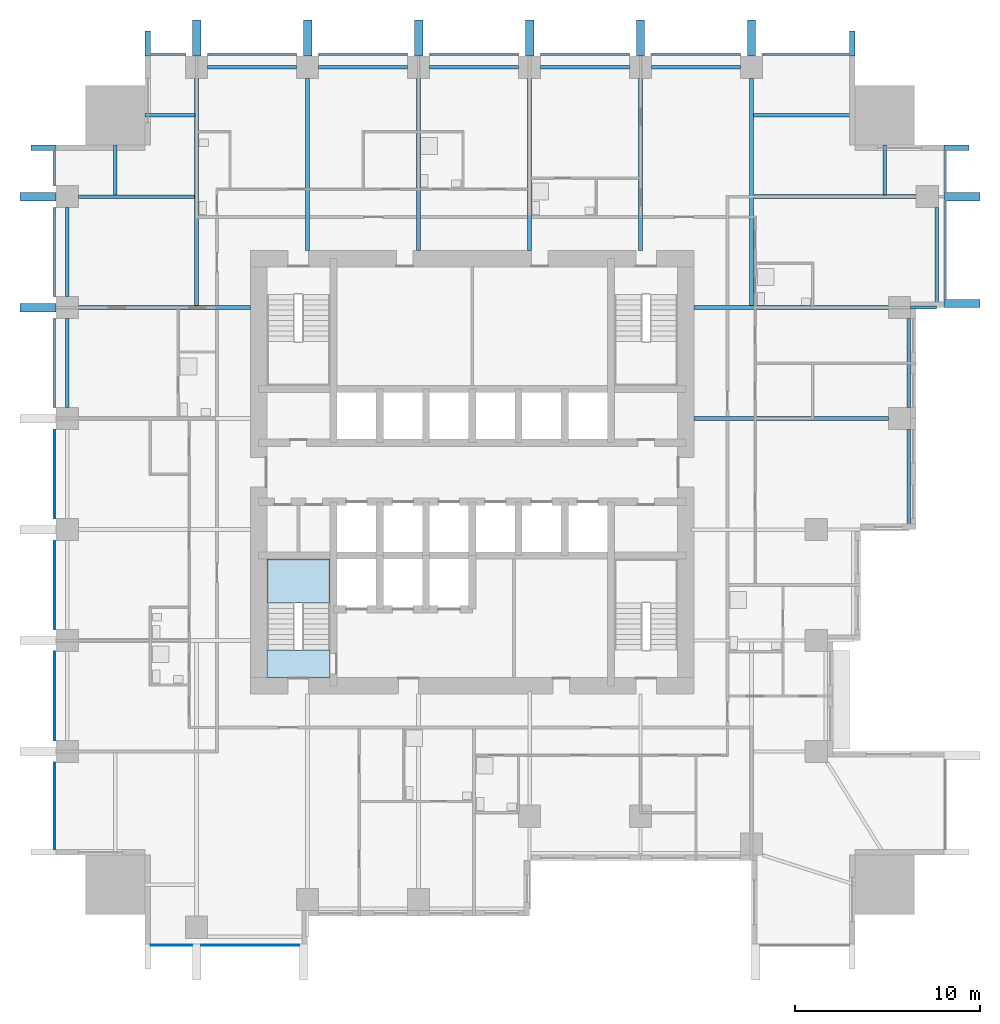
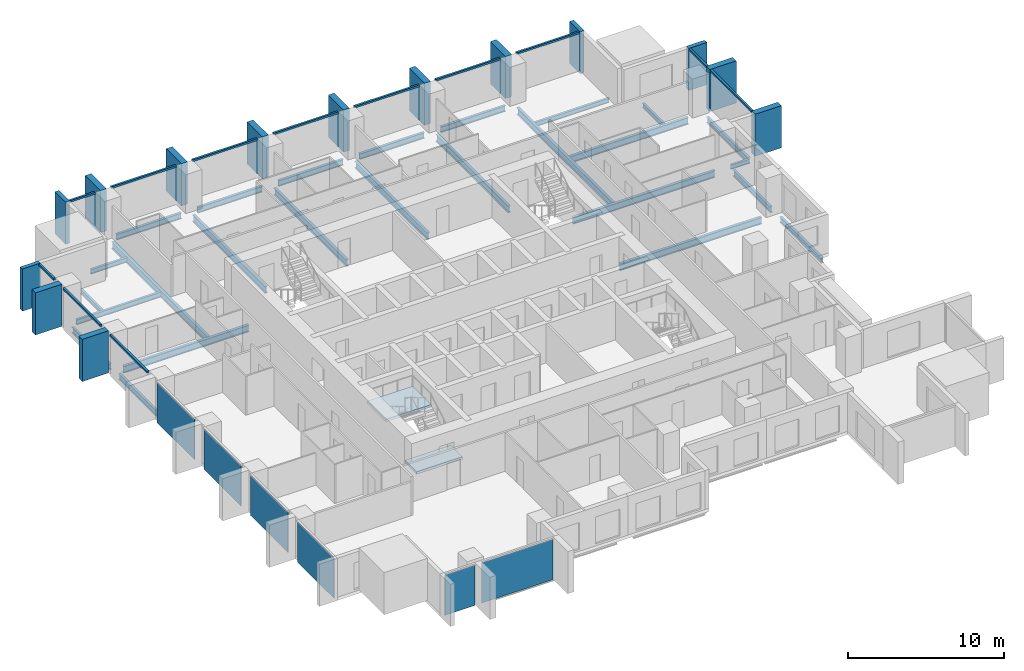
# One storey, part 2 of 10: 26 beams, 26 members, 6 plates, 2 slabs, 5 elements without a shape of their own.
"""IFC4 building model written with IfcOpenShell, lengths in metres."""

from ifc_helpers import new_model, si_unit, direction, frame, origin, origin_2d, place, context, subcontext, project, spatial, polyline, rectangle, i_section, outline, extrude, material, layer, layer_set, material_profile, profile_set, type_object, element, aggregate, save


model = new_model("IFC4")

# Units and contexts
model_context = context("Model", 3, precision=1e-05, world=origin(), true_north=direction((0.0, 1.0)))
body_context = subcontext(model_context, "Body", "Model", "MODEL_VIEW")
ifc_project = project(units=[si_unit("LENGTHUNIT", "METRE"), si_unit("AREAUNIT", "SQUARE_METRE"), si_unit("VOLUMEUNIT", "CUBIC_METRE"), si_unit("PLANEANGLEUNIT", "RADIAN"), si_unit("MASSUNIT", "GRAM", prefix="KILO")], contexts=[model_context])

# Site, building, storey
site_placement = place(None, origin())
site = spatial("IfcSite", under=ifc_project, at=site_placement, CompositionType="ELEMENT")
building_placement = place(site_placement, origin())
building = spatial("IfcBuilding", under=site, at=building_placement, Name="Amberfall Residences", CompositionType="ELEMENT")
storey_placement = place(building_placement, frame((0.0, 0.0, 36.699951171875)))
storey = spatial("IfcBuildingStorey", under=building, at=storey_placement, Name="L09", CompositionType="ELEMENT", Elevation=36.699951171875)

# Curtain wall, members
ifc_material_1 = material(Name="Bronze anodised aluminium and glass", Category="aluminium")
curtain_wall_type = type_object("IfcCurtainWallType", Name="Curtain wall CW1 tower unit", PredefinedType="USERDEFINED", material=ifc_material_1)
curtain_wall_1_placement = place(storey_placement, origin())
curtain_wall_1 = element("IfcCurtainWall", 1, at=curtain_wall_1_placement, inside=storey, type_object=curtain_wall_type, Name="Curtain wall L09 E E10", ObjectType="UNITISED CURTAIN WALL", PredefinedType="USERDEFINED")
ifc_material_2 = material(Name="Bronze anodised aluminium", Category="aluminium")
ifc_material_profile_1 = material_profile(ifc_material_2, rectangle(XDim=0.14990234375, YDim=0.14990234375, at=origin_2d()), Name="CW1 transom 150 x 150 bronze")
ifc_profile_set_1 = profile_set([ifc_material_profile_1], Name="Bronze anodised aluminium")
member_type_1 = type_object("IfcMemberType", Name="CW1 transom 150 x 150 bronze", PredefinedType="USERDEFINED", material=ifc_profile_set_1)
member_1_placement = place(storey_placement, frame((100.074951171875, 54.85009765625, 2.97509765625), z_axis=(0.0, 1.0, 0.0), x_axis=(-1.0, 0.0, 0.0)))
member_1 = element("IfcMember", 2, at=member_1_placement, type_object=member_type_1, Name="CW1 transom 1.1", ObjectType="TRANSOM", PredefinedType="USERDEFINED", context=body_context, shape_type="SweptSolid", body=[
    extrude(rectangle(XDim=0.14990234375, YDim=0.14990234375, at=origin_2d()), origin(), (0.0, 0.0, 1.0), 5.324951171875),
])
member_2_placement = place(storey_placement, frame((100.074951171875, 60.625, 2.97509765625), z_axis=(0.0, 1.0, 0.0), x_axis=(-1.0, 0.0, 0.0)))
member_2 = element("IfcMember", 3, at=member_2_placement, type_object=member_type_1, Name="CW1 transom 2.1", ObjectType="TRANSOM", PredefinedType="USERDEFINED", context=body_context, shape_type="SweptSolid", body=[
    extrude(rectangle(XDim=0.14990234375, YDim=0.14990234375, at=origin_2d()), origin(), (0.0, 0.0, 1.0), 2.27490234375),
])

curtain_wall_2_placement = place(storey_placement, origin())
curtain_wall_2 = element("IfcCurtainWall", 4, at=curtain_wall_2_placement, inside=storey, type_object=curtain_wall_type, Name="Curtain wall L09 N N1", ObjectType="UNITISED CURTAIN WALL", PredefinedType="USERDEFINED")
member_3_placement = place(storey_placement, frame((94.89990234375, 68.074951171875, 2.97509765625), z_axis=(-1.0, 0.0, 0.0), x_axis=(0.0, -1.0, 0.0)))
member_3 = element("IfcMember", 5, at=member_3_placement, type_object=member_type_1, Name="CW1 transom 1.1", ObjectType="TRANSOM", PredefinedType="USERDEFINED", context=body_context, shape_type="SweptSolid", body=[
    extrude(rectangle(XDim=0.14990234375, YDim=0.14990234375, at=origin_2d()), origin(), (0.0, 0.0, 1.0), 4.69482421875),
])
member_4_placement = place(storey_placement, frame((88.9951171875, 68.074951171875, 2.97509765625), z_axis=(-1.0, 0.0, 0.0), x_axis=(0.0, -1.0, 0.0)))
member_4 = element("IfcMember", 6, at=member_4_placement, type_object=member_type_1, Name="CW1 transom 2.1", ObjectType="TRANSOM", PredefinedType="USERDEFINED", context=body_context, shape_type="SweptSolid", body=[
    extrude(rectangle(XDim=0.14990234375, YDim=0.14990234375, at=origin_2d()), origin(), (0.0, 0.0, 1.0), 4.7900390625),
])
member_5_placement = place(storey_placement, frame((82.9951171875, 68.074951171875, 2.97509765625), z_axis=(-1.0, 0.0, 0.0), x_axis=(0.0, -1.0, 0.0)))
member_5 = element("IfcMember", 7, at=member_5_placement, type_object=member_type_1, Name="CW1 transom 3.1", ObjectType="TRANSOM", PredefinedType="USERDEFINED", context=body_context, shape_type="SweptSolid", body=[
    extrude(rectangle(XDim=0.14990234375, YDim=0.14990234375, at=origin_2d()), origin(), (0.0, 0.0, 1.0), 4.7900390625),
])
member_6_placement = place(storey_placement, frame((76.9951171875, 68.074951171875, 2.97509765625), z_axis=(-1.0, 0.0, 0.0), x_axis=(0.0, -1.0, 0.0)))
member_6 = element("IfcMember", 8, at=member_6_placement, type_object=member_type_1, Name="CW1 transom 4.1", ObjectType="TRANSOM", PredefinedType="USERDEFINED", context=body_context, shape_type="SweptSolid", body=[
    extrude(rectangle(XDim=0.14990234375, YDim=0.14990234375, at=origin_2d()), origin(), (0.0, 0.0, 1.0), 4.7900390625),
])
member_7_placement = place(storey_placement, frame((70.9951171875, 68.074951171875, 2.97509765625), z_axis=(-1.0, 0.0, 0.0), x_axis=(0.0, -1.0, 0.0)))
member_7 = element("IfcMember", 9, at=member_7_placement, type_object=member_type_1, Name="CW1 transom 5.1", ObjectType="TRANSOM", PredefinedType="USERDEFINED", context=body_context, shape_type="SweptSolid", body=[
    extrude(rectangle(XDim=0.14990234375, YDim=0.14990234375, at=origin_2d()), origin(), (0.0, 0.0, 1.0), 4.7900390625),
])
member_8_placement = place(storey_placement, frame((64.9951171875, 68.074951171875, 2.97509765625), z_axis=(-1.0, 0.0, 0.0), x_axis=(0.0, -1.0, 0.0)))
member_8 = element("IfcMember", 10, at=member_8_placement, type_object=member_type_1, Name="CW1 transom 6.1", ObjectType="TRANSOM", PredefinedType="USERDEFINED", context=body_context, shape_type="SweptSolid", body=[
    extrude(rectangle(XDim=0.14990234375, YDim=0.14990234375, at=origin_2d()), origin(), (0.0, 0.0, 1.0), 4.7900390625),
])
member_9_placement = place(storey_placement, frame((58.9951171875, 68.074951171875, 2.97509765625), z_axis=(-1.0, 0.0, 0.0), x_axis=(0.0, -1.0, 0.0)))
member_9 = element("IfcMember", 11, at=member_9_placement, type_object=member_type_1, Name="CW1 transom 7.1", ObjectType="TRANSOM", PredefinedType="USERDEFINED", context=body_context, shape_type="SweptSolid", body=[
    extrude(rectangle(XDim=0.14990234375, YDim=0.14990234375, at=origin_2d()), origin(), (0.0, 0.0, 1.0), 1.89501953125),
])

curtain_wall_3_placement = place(storey_placement, origin())
curtain_wall_3 = element("IfcCurtainWall", 12, at=curtain_wall_3_placement, inside=storey, type_object=curtain_wall_type, Name="Curtain wall L09 W W1", ObjectType="UNITISED CURTAIN WALL", PredefinedType="USERDEFINED")
member_10_placement = place(storey_placement, frame((51.925048828125, 62.89990234375, 2.97509765625), z_axis=(0.0, -1.0, 0.0), x_axis=(1.0, 0.0, 0.0)))
member_10 = element("IfcMember", 13, at=member_10_placement, type_object=member_type_1, Name="CW1 transom 1.1", ObjectType="TRANSOM", PredefinedType="USERDEFINED", context=body_context, shape_type="SweptSolid", body=[
    extrude(rectangle(XDim=0.14990234375, YDim=0.14990234375, at=origin_2d()), origin(), (0.0, 0.0, 1.0), 1.89501953125),
])
member_11_placement = place(storey_placement, frame((51.925048828125, 59.794921875, 2.97509765625), z_axis=(0.0, -1.0, 0.0), x_axis=(1.0, 0.0, 0.0)))
member_11 = element("IfcMember", 14, at=member_11_placement, type_object=member_type_1, Name="CW1 transom 2.1", ObjectType="TRANSOM", PredefinedType="USERDEFINED", context=body_context, shape_type="SweptSolid", body=[
    extrude(rectangle(XDim=0.14990234375, YDim=0.14990234375, at=origin_2d()), origin(), (0.0, 0.0, 1.0), 4.7900390625),
])
member_12_placement = place(storey_placement, frame((51.925048828125, 53.794921875, 2.97509765625), z_axis=(0.0, -1.0, 0.0), x_axis=(1.0, 0.0, 0.0)))
member_12 = element("IfcMember", 15, at=member_12_placement, type_object=member_type_1, Name="CW1 transom 3.1", ObjectType="TRANSOM", PredefinedType="USERDEFINED", context=body_context, shape_type="SweptSolid", body=[
    extrude(rectangle(XDim=0.14990234375, YDim=0.14990234375, at=origin_2d()), origin(), (0.0, 0.0, 1.0), 4.7900390625),
])

# Beam
ifc_material_3 = material(Name="Steel S355", Category="steel")
ifc_material_profile_2 = material_profile(ifc_material_3, i_section(OverallWidth=0.171142578125, OverallDepth=0.351318359375, WebThickness=0.007080078125, FlangeThickness=0.009765625, FilletRadius=0.01025390625, at=origin_2d()), Name="UB 356x171x45")
ifc_profile_set_2 = profile_set([ifc_material_profile_2], Name="Steel S355")
beam_type_1 = type_object("IfcBeamType", Name="Cantilever girder UB 356x171x45", PredefinedType="BEAM", material=ifc_profile_set_2)
beam_1_placement = place(storey_placement, frame((98.199951171875, 54.39990234375, -0.425537109375), z_axis=(1.0, 0.0, 0.0), x_axis=(0.0, 1.0, 0.0)))
element("IfcBeam", 16, at=beam_1_placement, inside=storey, type_object=beam_type_1, Name="Cantilever girder B8 L09 22", PredefinedType="BEAM", context=body_context, shape_type="SweptSolid", body=[
    extrude(i_section(OverallWidth=0.171142578125, OverallDepth=0.351318359375, WebThickness=0.007080078125, FlangeThickness=0.009765625, FilletRadius=0.01025390625, at=origin_2d()), origin(), (0.0, 0.0, 1.0), 1.400146484375),
])

# Member
ifc_material_profile_3 = material_profile(ifc_material_2, rectangle(XDim=1.35009765625, YDim=0.300048828125, at=origin_2d()), Name="Corner fin 300 x 1350 bronze")
ifc_profile_set_3 = profile_set([ifc_material_profile_3], Name="Bronze anodised aluminium")
member_type_2 = type_object("IfcMemberType", Name="Corner fin 300 x 1350 bronze", PredefinedType="MULLION", material=ifc_profile_set_3)
member_13_placement = place(storey_placement, frame((100.675048828125, 63.050048828125, -0.25), z_axis=(0.0, 0.0, 1.0), x_axis=(-1.0, 0.0, 0.0)))
member_13 = element("IfcMember", 17, at=member_13_placement, type_object=member_type_2, Name="CW FIN 3", PredefinedType="MULLION", context=body_context, shape_type="SweptSolid", body=[
    extrude(rectangle(XDim=1.35009765625, YDim=0.300048828125, at=origin_2d()), origin(), (0.0, 0.0, 1.0), 3.300048828125),
])

member_14_placement = place(storey_placement, frame((95.050048828125, 68.675048828125, -0.25), z_axis=(0.0, 0.0, 1.0), x_axis=(0.0, -1.0, 0.0)))
member_14 = element("IfcMember", 18, at=member_14_placement, type_object=member_type_2, Name="CW FIN 1", PredefinedType="MULLION", context=body_context, shape_type="SweptSolid", body=[
    extrude(rectangle(XDim=1.35009765625, YDim=0.300048828125, at=origin_2d()), origin(), (0.0, 0.0, 1.0), 3.300048828125),
])

member_15_placement = place(storey_placement, frame((56.949951171875, 68.675048828125, -0.25), z_axis=(0.0, 0.0, 1.0), x_axis=(0.0, -1.0, 0.0)))
member_15 = element("IfcMember", 19, at=member_15_placement, type_object=member_type_2, Name="CW FIN 8", PredefinedType="MULLION", context=body_context, shape_type="SweptSolid", body=[
    extrude(rectangle(XDim=1.35009765625, YDim=0.300048828125, at=origin_2d()), origin(), (0.0, 0.0, 1.0), 3.300048828125),
])

member_16_placement = place(storey_placement, frame((51.324951171875, 63.050048828125, -0.25), z_axis=(0.0, 0.0, 1.0), x_axis=(1.0, 0.0, 0.0)))
member_16 = element("IfcMember", 20, at=member_16_placement, type_object=member_type_2, Name="CW FIN 1", PredefinedType="MULLION", context=body_context, shape_type="SweptSolid", body=[
    extrude(rectangle(XDim=1.35009765625, YDim=0.300048828125, at=origin_2d()), origin(), (0.0, 0.0, 1.0), 3.300048828125),
])

# Beams
ifc_material_profile_4 = material_profile(ifc_material_3, i_section(OverallWidth=0.18994140625, OverallDepth=0.453369140625, WebThickness=0.008544921875, FlangeThickness=0.0126953125, FilletRadius=0.01025390625, at=origin_2d()), Name="UB 457x191x67")
ifc_profile_set_4 = profile_set([ifc_material_profile_4], Name="Steel S355")
beam_type_2 = type_object("IfcBeamType", Name="Edge beam UB 457x191x67", PredefinedType="SPANDREL", material=ifc_profile_set_4)
beam_2_placement = place(storey_placement, frame((98.10009765625, 42.47998046875, -0.4765625), z_axis=(0.0, 1.0, 0.0), x_axis=(-1.0, 0.0, 0.0)))
element("IfcBeam", 21, at=beam_2_placement, inside=storey, type_object=beam_type_2, Name="Edge beam B1 L09 17", PredefinedType="SPANDREL", context=body_context, shape_type="SweptSolid", body=[
    extrude(i_section(OverallWidth=0.18994140625, OverallDepth=0.453369140625, WebThickness=0.008544921875, FlangeThickness=0.0126953125, FilletRadius=0.01025390625, at=origin_2d()), origin(), (0.0, 0.0, 1.0), 5.320068359375),
])
beam_3_placement = place(storey_placement, frame((98.10009765625, 49.0, -0.4765625), z_axis=(0.0, 1.0, 0.0), x_axis=(-1.0, 0.0, 0.0)))
element("IfcBeam", 22, at=beam_3_placement, inside=storey, type_object=beam_type_2, Name="Edge beam B1 L09 18", PredefinedType="SPANDREL", context=body_context, shape_type="SweptSolid", body=[
    extrude(i_section(OverallWidth=0.18994140625, OverallDepth=0.453369140625, WebThickness=0.008544921875, FlangeThickness=0.0126953125, FilletRadius=0.01025390625, at=origin_2d()), origin(), (0.0, 0.0, 1.0), 4.800048828125),
])
beam_4_placement = place(storey_placement, frame((99.60009765625, 54.47998046875, -0.4765625), z_axis=(0.0, 1.0, 0.0), x_axis=(-1.0, 0.0, 0.0)))
element("IfcBeam", 23, at=beam_4_placement, inside=storey, type_object=beam_type_2, Name="Edge beam B1 L09 19", PredefinedType="SPANDREL", context=body_context, shape_type="SweptSolid", body=[
    extrude(i_section(OverallWidth=0.18994140625, OverallDepth=0.453369140625, WebThickness=0.008544921875, FlangeThickness=0.0126953125, FilletRadius=0.01025390625, at=origin_2d()), origin(), (0.0, 0.0, 1.0), 5.320068359375),
])
for number, where, z_axis, x_axis, name in (
    (24, (60.199951171875, 67.39990234375, -0.4765625), (1.0, 0.0, 0.0), (0.0, 1.0, 0.0), "Edge beam B1 L09 29"),
    (25, (66.199951171875, 67.39990234375, -0.4765625), (1.0, 0.0, 0.0), (0.0, 1.0, 0.0), "Edge beam B1 L09 30"),
    (26, (72.199951171875, 67.39990234375, -0.4765625), (1.0, 0.0, 0.0), (0.0, 1.0, 0.0), "Edge beam B1 L09 31"),
    (27, (78.199951171875, 67.39990234375, -0.4765625), (1.0, 0.0, 0.0), (0.0, 1.0, 0.0), "Edge beam B1 L09 32"),
    (28, (84.199951171875, 67.39990234375, -0.4765625), (1.0, 0.0, 0.0), (0.0, 1.0, 0.0), "Edge beam B1 L09 33"),
    (29, (52.60009765625, 49.0, -0.4765625), (0.0, 1.0, 0.0), (-1.0, 0.0, 0.0), "Edge beam B1 L09 43"),
    (30, (52.60009765625, 55.0, -0.4765625), (0.0, 1.0, 0.0), (-1.0, 0.0, 0.0), "Edge beam B1 L09 44"),
):
    element("IfcBeam", number, at=place(storey_placement, frame(where, z_axis=z_axis, x_axis=x_axis)), inside=storey, type_object=beam_type_2, Name=name, PredefinedType="SPANDREL", context=body_context, shape_type="SweptSolid", body=[
        extrude(i_section(OverallWidth=0.18994140625, OverallDepth=0.453369140625, WebThickness=0.008544921875, FlangeThickness=0.0126953125, FilletRadius=0.01025390625, at=origin_2d()), origin(), (0.0, 0.0, 1.0), 4.800048828125),
    ])

# Member
ifc_material_profile_5 = material_profile(ifc_material_2, rectangle(XDim=1.949951171875, YDim=0.449951171875, at=origin_2d()), Name="Fin 450 x 1950 bronze")
ifc_profile_set_5 = profile_set([ifc_material_profile_5], Name="Bronze anodised aluminium")
member_type_3 = type_object("IfcMemberType", Name="Fin 450 x 1950 bronze", PredefinedType="MULLION", material=ifc_profile_set_5)
member_17_placement = place(storey_placement, frame((100.97509765625, 54.625, -0.25), z_axis=(0.0, 0.0, 1.0), x_axis=(-1.0, 0.0, 0.0)))
member_17 = element("IfcMember", 31, at=member_17_placement, type_object=member_type_3, Name="CW FIN 1", PredefinedType="MULLION", context=body_context, shape_type="SweptSolid", body=[
    extrude(rectangle(XDim=1.949951171875, YDim=0.449951171875, at=origin_2d()), origin(), (0.0, 0.0, 1.0), 3.300048828125),
])

member_18_placement = place(storey_placement, frame((100.97509765625, 60.39990234375, -0.25), z_axis=(0.0, 0.0, 1.0), x_axis=(-1.0, 0.0, 0.0)))
member_18 = element("IfcMember", 32, at=member_18_placement, type_object=member_type_3, Name="CW FIN 2", PredefinedType="MULLION", context=body_context, shape_type="SweptSolid", body=[
    extrude(rectangle(XDim=1.949951171875, YDim=0.449951171875, at=origin_2d()), origin(), (0.0, 0.0, 1.0), 3.300048828125),
])

aggregate(curtain_wall_1, [member_17, member_18, member_13, member_1, member_2])

member_19_placement = place(storey_placement, frame((89.60009765625, 68.97509765625, -0.25), z_axis=(0.0, 0.0, 1.0), x_axis=(0.0, -1.0, 0.0)))
member_19 = element("IfcMember", 33, at=member_19_placement, type_object=member_type_3, Name="CW FIN 2", PredefinedType="MULLION", context=body_context, shape_type="SweptSolid", body=[
    extrude(rectangle(XDim=1.949951171875, YDim=0.449951171875, at=origin_2d()), origin(), (0.0, 0.0, 1.0), 3.300048828125),
])

member_20_placement = place(storey_placement, frame((83.60009765625, 68.97509765625, -0.25), z_axis=(0.0, 0.0, 1.0), x_axis=(0.0, -1.0, 0.0)))
member_20 = element("IfcMember", 34, at=member_20_placement, type_object=member_type_3, Name="CW FIN 3", PredefinedType="MULLION", context=body_context, shape_type="SweptSolid", body=[
    extrude(rectangle(XDim=1.949951171875, YDim=0.449951171875, at=origin_2d()), origin(), (0.0, 0.0, 1.0), 3.300048828125),
])

member_21_placement = place(storey_placement, frame((77.60009765625, 68.97509765625, -0.25), z_axis=(0.0, 0.0, 1.0), x_axis=(0.0, -1.0, 0.0)))
member_21 = element("IfcMember", 35, at=member_21_placement, type_object=member_type_3, Name="CW FIN 4", PredefinedType="MULLION", context=body_context, shape_type="SweptSolid", body=[
    extrude(rectangle(XDim=1.949951171875, YDim=0.449951171875, at=origin_2d()), origin(), (0.0, 0.0, 1.0), 3.300048828125),
])

member_22_placement = place(storey_placement, frame((71.60009765625, 68.97509765625, -0.25), z_axis=(0.0, 0.0, 1.0), x_axis=(0.0, -1.0, 0.0)))
member_22 = element("IfcMember", 36, at=member_22_placement, type_object=member_type_3, Name="CW FIN 5", PredefinedType="MULLION", context=body_context, shape_type="SweptSolid", body=[
    extrude(rectangle(XDim=1.949951171875, YDim=0.449951171875, at=origin_2d()), origin(), (0.0, 0.0, 1.0), 3.300048828125),
])

member_23_placement = place(storey_placement, frame((65.60009765625, 68.97509765625, -0.25), z_axis=(0.0, 0.0, 1.0), x_axis=(0.0, -1.0, 0.0)))
member_23 = element("IfcMember", 37, at=member_23_placement, type_object=member_type_3, Name="CW FIN 6", PredefinedType="MULLION", context=body_context, shape_type="SweptSolid", body=[
    extrude(rectangle(XDim=1.949951171875, YDim=0.449951171875, at=origin_2d()), origin(), (0.0, 0.0, 1.0), 3.300048828125),
])

member_24_placement = place(storey_placement, frame((59.60009765625, 68.97509765625, -0.25), z_axis=(0.0, 0.0, 1.0), x_axis=(0.0, -1.0, 0.0)))
member_24 = element("IfcMember", 38, at=member_24_placement, type_object=member_type_3, Name="CW FIN 7", PredefinedType="MULLION", context=body_context, shape_type="SweptSolid", body=[
    extrude(rectangle(XDim=1.949951171875, YDim=0.449951171875, at=origin_2d()), origin(), (0.0, 0.0, 1.0), 3.300048828125),
])

aggregate(curtain_wall_2, [member_14, member_19, member_20, member_21, member_22, member_23, member_24, member_15, member_3, member_4, member_5, member_6, member_7, member_8, member_9])

member_25_placement = place(storey_placement, frame((51.02490234375, 60.39990234375, -0.25), z_axis=(0.0, 0.0, 1.0), x_axis=(1.0, 0.0, 0.0)))
member_25 = element("IfcMember", 39, at=member_25_placement, type_object=member_type_3, Name="CW FIN 2", PredefinedType="MULLION", context=body_context, shape_type="SweptSolid", body=[
    extrude(rectangle(XDim=1.949951171875, YDim=0.449951171875, at=origin_2d()), origin(), (0.0, 0.0, 1.0), 3.300048828125),
])

member_26_placement = place(storey_placement, frame((51.02490234375, 54.39990234375, -0.25), z_axis=(0.0, 0.0, 1.0), x_axis=(1.0, 0.0, 0.0)))
member_26 = element("IfcMember", 40, at=member_26_placement, type_object=member_type_3, Name="CW FIN 3", PredefinedType="MULLION", context=body_context, shape_type="SweptSolid", body=[
    extrude(rectangle(XDim=1.949951171875, YDim=0.449951171875, at=origin_2d()), origin(), (0.0, 0.0, 1.0), 3.300048828125),
])

# Beams
ifc_material_profile_6 = material_profile(ifc_material_3, i_section(OverallWidth=0.177734375, OverallDepth=0.402587890625, WebThickness=0.0078125, FlangeThickness=0.010986328125, FilletRadius=0.01025390625, at=origin_2d()), Name="UB 406x178x54")
ifc_profile_set_6 = profile_set([ifc_material_profile_6], Name="Steel S355")
beam_type_3 = type_object("IfcBeamType", Name="Floor girder UB 406x178x54", PredefinedType="BEAM", material=ifc_profile_set_6)
beam_5_placement = place(storey_placement, frame((53.199951171875, 60.39990234375, -0.451171875), z_axis=(1.0, 0.0, 0.0), x_axis=(0.0, 1.0, 0.0)))
element("IfcBeam", 41, at=beam_5_placement, inside=storey, type_object=beam_type_3, Name="Floor girder B4 L09 50", PredefinedType="BEAM", context=body_context, shape_type="SweptSolid", body=[
    extrude(i_section(OverallWidth=0.177734375, OverallDepth=0.402587890625, WebThickness=0.0078125, FlangeThickness=0.010986328125, FilletRadius=0.01025390625, at=origin_2d()), origin(), (0.0, 0.0, 1.0), 6.280029296875),
])
ifc_material_profile_7 = material_profile(ifc_material_3, i_section(OverallWidth=0.210693359375, OverallDepth=0.53955078125, WebThickness=0.01171875, FlangeThickness=0.018798828125, FilletRadius=0.0126953125, at=origin_2d()), Name="UB 533x210x109")
ifc_profile_set_7 = profile_set([ifc_material_profile_7], Name="Steel S355")
beam_type_4 = type_object("IfcBeamType", Name="Floor girder UB 533x210x109", PredefinedType="BEAM", material=ifc_profile_set_7)
for number, where, z_axis, x_axis, name in (
    (42, (59.60009765625, 66.800048828125, -0.519775390625), (0.0, -1.0, 0.0), (1.0, 0.0, 0.0), "Floor girder B2 L09 34"),
    (43, (89.60009765625, 66.800048828125, -0.519775390625), (0.0, -1.0, 0.0), (1.0, 0.0, 0.0), "Floor girder B2 L09 39"),
):
    element("IfcBeam", number, at=place(storey_placement, frame(where, z_axis=z_axis, x_axis=x_axis)), inside=storey, type_object=beam_type_4, Name=name, PredefinedType="BEAM", context=body_context, shape_type="SweptSolid", body=[
        extrude(i_section(OverallWidth=0.210693359375, OverallDepth=0.53955078125, WebThickness=0.01171875, FlangeThickness=0.018798828125, FilletRadius=0.0126953125, at=origin_2d()), origin(), (0.0, 0.0, 1.0), 12.300537109375),
    ])
ifc_material_profile_8 = material_profile(ifc_material_3, i_section(OverallWidth=0.209228515625, OverallDepth=0.533203125, WebThickness=0.010009765625, FlangeThickness=0.015625, FilletRadius=0.0126953125, at=origin_2d()), Name="UB 533x210x92")
ifc_profile_set_8 = profile_set([ifc_material_profile_8], Name="Steel S355")
beam_type_5 = type_object("IfcBeamType", Name="Floor girder UB 533x210x92", PredefinedType="BEAM", material=ifc_profile_set_8)
for number, where, z_axis, x_axis, name in (
    (44, (97.0, 48.39990234375, -0.5166015625), (-1.0, 0.0, 0.0), (0.0, -1.0, 0.0), "Floor girder B3 L09 26"),
    (45, (97.0, 54.39990234375, -0.5166015625), (-1.0, 0.0, 0.0), (0.0, -1.0, 0.0), "Floor girder B3 L09 27"),
):
    element("IfcBeam", number, at=place(storey_placement, frame(where, z_axis=z_axis, x_axis=x_axis)), inside=storey, type_object=beam_type_5, Name=name, PredefinedType="BEAM", context=body_context, shape_type="SweptSolid", body=[
        extrude(i_section(OverallWidth=0.209228515625, OverallDepth=0.533203125, WebThickness=0.010009765625, FlangeThickness=0.015625, FilletRadius=0.0126953125, at=origin_2d()), origin(), (0.0, 0.0, 1.0), 10.5),
    ])
beam_6_placement = place(storey_placement, frame((98.5, 60.39990234375, -0.5166015625), z_axis=(-1.0, 0.0, 0.0), x_axis=(0.0, -1.0, 0.0)))
element("IfcBeam", 46, at=beam_6_placement, inside=storey, type_object=beam_type_5, Name="Floor girder B3 L09 28", PredefinedType="BEAM", context=body_context, shape_type="SweptSolid", body=[
    extrude(i_section(OverallWidth=0.209228515625, OverallDepth=0.533203125, WebThickness=0.010009765625, FlangeThickness=0.015625, FilletRadius=0.0126953125, at=origin_2d()), origin(), (0.0, 0.0, 1.0), 8.780029296875),
])
for number, where, z_axis, x_axis, name in (
    (47, (65.60009765625, 66.800048828125, -0.5166015625), (0.0, -1.0, 0.0), (1.0, 0.0, 0.0), "Floor girder B3 L09 35"),
    (48, (71.60009765625, 66.800048828125, -0.5166015625), (0.0, -1.0, 0.0), (1.0, 0.0, 0.0), "Floor girder B3 L09 36"),
    (49, (77.60009765625, 66.800048828125, -0.5166015625), (0.0, -1.0, 0.0), (1.0, 0.0, 0.0), "Floor girder B3 L09 37"),
    (50, (83.60009765625, 66.800048828125, -0.5166015625), (0.0, -1.0, 0.0), (1.0, 0.0, 0.0), "Floor girder B3 L09 38"),
    (51, (53.199951171875, 54.39990234375, -0.5166015625), (1.0, 0.0, 0.0), (0.0, 1.0, 0.0), "Floor girder B3 L09 49"),
):
    element("IfcBeam", number, at=place(storey_placement, frame(where, z_axis=z_axis, x_axis=x_axis)), inside=storey, type_object=beam_type_5, Name=name, PredefinedType="BEAM", context=body_context, shape_type="SweptSolid", body=[
        extrude(i_section(OverallWidth=0.209228515625, OverallDepth=0.533203125, WebThickness=0.010009765625, FlangeThickness=0.015625, FilletRadius=0.0126953125, at=origin_2d()), origin(), (0.0, 0.0, 1.0), 9.300048828125),
    ])
ifc_material_profile_9 = material_profile(ifc_material_3, i_section(OverallWidth=0.171142578125, OverallDepth=0.351318359375, WebThickness=0.007080078125, FlangeThickness=0.009765625, FilletRadius=0.01025390625, at=origin_2d()), Name="UB 356x171x45")
ifc_profile_set_9 = profile_set([ifc_material_profile_9], Name="Steel S355")
beam_type_6 = type_object("IfcBeamType", Name="Link beam UB 356x171x45", PredefinedType="BEAM", material=ifc_profile_set_9)
beam_7_placement = place(storey_placement, frame((95.199951171875, 64.800048828125, -0.425537109375), z_axis=(-1.0, 0.0, 0.0), x_axis=(0.0, -1.0, 0.0)))
element("IfcBeam", 52, at=beam_7_placement, inside=storey, type_object=beam_type_6, Name="Link beam B7 L09 55", PredefinedType="BEAM", context=body_context, shape_type="SweptSolid", body=[
    extrude(i_section(OverallWidth=0.171142578125, OverallDepth=0.351318359375, WebThickness=0.007080078125, FlangeThickness=0.009765625, FilletRadius=0.01025390625, at=origin_2d()), origin(), (0.0, 0.0, 1.0), 5.504638671875),
])
beam_8_placement = place(storey_placement, frame((96.800048828125, 63.199951171875, -0.425537109375), z_axis=(0.0, -1.0, 0.0), x_axis=(1.0, 0.0, 0.0)))
element("IfcBeam", 53, at=beam_8_placement, inside=storey, type_object=beam_type_6, Name="Link beam B7 L09 56", PredefinedType="BEAM", context=body_context, shape_type="SweptSolid", body=[
    extrude(i_section(OverallWidth=0.171142578125, OverallDepth=0.351318359375, WebThickness=0.007080078125, FlangeThickness=0.009765625, FilletRadius=0.01025390625, at=origin_2d()), origin(), (0.0, 0.0, 1.0), 2.705322265625),
])
beam_9_placement = place(storey_placement, frame((56.800048828125, 64.800048828125, -0.425537109375), z_axis=(1.0, 0.0, 0.0), x_axis=(0.0, 1.0, 0.0)))
element("IfcBeam", 54, at=beam_9_placement, inside=storey, type_object=beam_type_6, Name="Link beam B7 L09 57", PredefinedType="BEAM", context=body_context, shape_type="SweptSolid", body=[
    extrude(i_section(OverallWidth=0.171142578125, OverallDepth=0.351318359375, WebThickness=0.007080078125, FlangeThickness=0.009765625, FilletRadius=0.01025390625, at=origin_2d()), origin(), (0.0, 0.0, 1.0), 2.70458984375),
])
beam_10_placement = place(storey_placement, frame((55.199951171875, 63.199951171875, -0.425537109375), z_axis=(0.0, -1.0, 0.0), x_axis=(1.0, 0.0, 0.0)))
element("IfcBeam", 55, at=beam_10_placement, inside=storey, type_object=beam_type_6, Name="Link beam B7 L09 58", PredefinedType="BEAM", context=body_context, shape_type="SweptSolid", body=[
    extrude(i_section(OverallWidth=0.171142578125, OverallDepth=0.351318359375, WebThickness=0.007080078125, FlangeThickness=0.009765625, FilletRadius=0.01025390625, at=origin_2d()), origin(), (0.0, 0.0, 1.0), 2.720947265625),
])

# Curtain wall, plates
curtain_wall_4_placement = place(storey_placement, origin())
curtain_wall_4 = element("IfcCurtainWall", 56, at=curtain_wall_4_placement, inside=storey, type_object=curtain_wall_type, Name="Curtain wall L09 S S1", ObjectType="UNITISED CURTAIN WALL", PredefinedType="USERDEFINED")
ifc_material_4 = material(Name="Tinted double glazed unit", Category="glass")
ifc_layer_1 = layer(ifc_material_4, 0.035888671875)
ifc_layer_set_1 = layer_set([ifc_layer_1], Name="CW1 panel 36 glazing")
plate_type = type_object("IfcPlateType", Name="CW1 panel 36 glazing", PredefinedType="CURTAIN_PANEL", material=ifc_layer_set_1)
plate_1_placement = place(storey_placement, frame((58.237548828125, 19.925048828125, -0.25), z_axis=(0.0, 0.0, 1.0), x_axis=(1.0, 0.0, 0.0)))
plate_1 = element("IfcPlate", 57, at=plate_1_placement, type_object=plate_type, Name="CW1 panel 1.1", PredefinedType="CURTAIN_PANEL", context=body_context, shape_type="SweptSolid", body=[
    extrude(rectangle(XDim=2.2509765625, YDim=0.035888671875, at=origin_2d()), origin(), (0.0, 0.0, 1.0), 3.14990234375),
])
plate_2_placement = place(storey_placement, frame((62.487548828125, 19.925048828125, -0.25), z_axis=(0.0, 0.0, 1.0), x_axis=(1.0, 0.0, 0.0)))
plate_2 = element("IfcPlate", 58, at=plate_2_placement, type_object=plate_type, Name="CW1 panel 2.1", PredefinedType="CURTAIN_PANEL", context=body_context, shape_type="SweptSolid", body=[
    extrude(rectangle(XDim=5.301025390625, YDim=0.035888671875, at=origin_2d()), origin(), (0.0, 0.0, 1.0), 3.14990234375),
])
aggregate(curtain_wall_4, [plate_1, plate_2])

# Plate
plate_3_placement = place(storey_placement, frame((51.925048828125, 45.39990234375, -0.25), z_axis=(0.0, 0.0, 1.0), x_axis=(0.0, -1.0, 0.0)))
plate_3 = element("IfcPlate", 59, at=plate_3_placement, type_object=plate_type, Name="CW1 panel 4.1", PredefinedType="CURTAIN_PANEL", context=body_context, shape_type="SweptSolid", body=[
    extrude(rectangle(XDim=4.76611328125, YDim=0.035888671875, at=origin_2d()), origin(), (0.0, 0.0, 1.0), 3.14990234375),
])

plate_4_placement = place(storey_placement, frame((51.925048828125, 39.39990234375, -0.25), z_axis=(0.0, 0.0, 1.0), x_axis=(0.0, -1.0, 0.0)))
plate_4 = element("IfcPlate", 60, at=plate_4_placement, type_object=plate_type, Name="CW1 panel 5.1", PredefinedType="CURTAIN_PANEL", context=body_context, shape_type="SweptSolid", body=[
    extrude(rectangle(XDim=4.76611328125, YDim=0.035888671875, at=origin_2d()), origin(), (0.0, 0.0, 1.0), 3.14990234375),
])

plate_5_placement = place(storey_placement, frame((51.925048828125, 33.39990234375, -0.25), z_axis=(0.0, 0.0, 1.0), x_axis=(0.0, -1.0, 0.0)))
plate_5 = element("IfcPlate", 61, at=plate_5_placement, type_object=plate_type, Name="CW1 panel 6.1", PredefinedType="CURTAIN_PANEL", context=body_context, shape_type="SweptSolid", body=[
    extrude(rectangle(XDim=4.76611328125, YDim=0.035888671875, at=origin_2d()), origin(), (0.0, 0.0, 1.0), 3.14990234375),
])

plate_6_placement = place(storey_placement, frame((51.925048828125, 27.447509765625, -0.25), z_axis=(0.0, 0.0, 1.0), x_axis=(0.0, -1.0, 0.0)))
plate_6 = element("IfcPlate", 62, at=plate_6_placement, type_object=plate_type, Name="CW1 panel 7.1", PredefinedType="CURTAIN_PANEL", context=body_context, shape_type="SweptSolid", body=[
    extrude(rectangle(XDim=4.6708984375, YDim=0.035888671875, at=origin_2d()), origin(), (0.0, 0.0, 1.0), 3.14990234375),
])

aggregate(curtain_wall_3, [member_16, member_25, member_26, member_10, member_11, member_12, plate_3, plate_4, plate_5, plate_6])

# Stair, slabs
ifc_material_5 = material(Name="Concrete C40", Category="concrete")
stair_type = type_object("IfcStairType", Name="Exit stair 20 risers 165.0 mm", PredefinedType="HALF_TURN_STAIR", material=ifc_material_5)
stair_placement = place(storey_placement, origin())
stair = element("IfcStair", 63, at=stair_placement, inside=storey, type_object=stair_type, Name="L09 Exit stair 1", PredefinedType="HALF_TURN_STAIR")
ifc_layer_2 = layer(ifc_material_5, 0.199951171875)
ifc_layer_set_2 = layer_set([ifc_layer_2], Name="Stair landing 200")
slab_type = type_object("IfcSlabType", Name="Stair landing 200", PredefinedType="LANDING", material=ifc_layer_set_2)
slab_1_placement = place(storey_placement, frame((0.0, 0.0, 1.449951171875)))
slab_1 = element("IfcSlab", 64, at=slab_1_placement, type_object=slab_type, Name="ST3 landing 1", PredefinedType="LANDING", context=body_context, shape_type="SweptSolid", body=[
    extrude(outline(polyline([(66.800048828125, 38.419921875), (66.800048828125, 40.800048828125), (63.39990234375, 40.800048828125), (63.39990234375, 38.419921875), (66.800048828125, 38.419921875)])), origin(), (0.0, 0.0, 1.0), 0.2001953125),
])
slab_2_placement = place(storey_placement, frame((0.0, 0.0, -0.199951171875)))
slab_2 = element("IfcSlab", 65, at=slab_2_placement, type_object=slab_type, Name="ST3 landing 2", PredefinedType="LANDING", context=body_context, shape_type="SweptSolid", body=[
    extrude(outline(polyline([(66.800048828125, 34.39990234375), (66.800048828125, 35.89990234375), (63.39990234375, 35.89990234375), (63.39990234375, 34.39990234375), (66.800048828125, 34.39990234375)])), origin(), (0.0, 0.0, 1.0), 0.199951171875),
])
aggregate(stair, [slab_1, slab_2])

save(model, "model.ifc")
